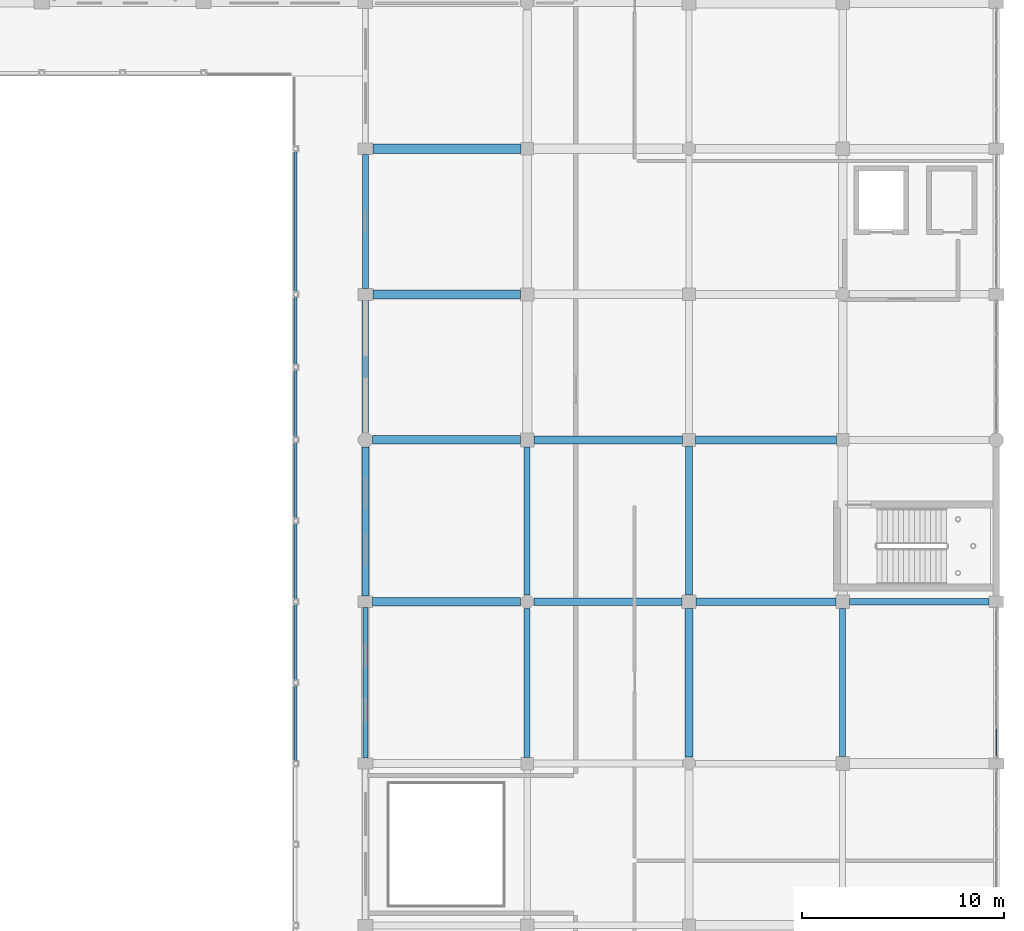
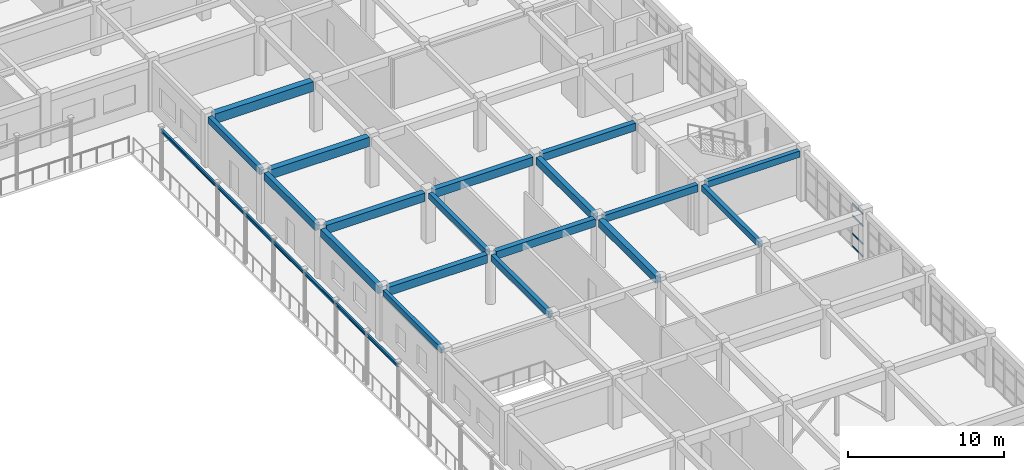
# One storey, part 130 of 195: 22 beams, 4 members, 1 element without a shape of its own.
"""IFC4 building model written with IfcOpenShell, lengths in metres."""

from ifc_helpers import new_model, si_unit, direction, frame, origin, origin_2d, place, context, subcontext, project, spatial, rectangle, hollow_rectangle, i_section, extrude, material, material_profile, profile_set, type_object, element, aggregate, save


model = new_model("IFC4")

# Units and contexts
model_context = context("Model", 3, precision=1e-05, world=origin(), true_north=direction((0.0, 1.0)))
body_context = subcontext(model_context, "Body", "Model", "MODEL_VIEW")
ifc_project = project(units=[si_unit("LENGTHUNIT", "METRE"), si_unit("AREAUNIT", "SQUARE_METRE"), si_unit("VOLUMEUNIT", "CUBIC_METRE"), si_unit("PLANEANGLEUNIT", "RADIAN"), si_unit("MASSUNIT", "GRAM", prefix="KILO")], contexts=[model_context])

# Site, building, storey
site_placement = place(None, origin())
site = spatial("IfcSite", under=ifc_project, at=site_placement, CompositionType="ELEMENT")
building_placement = place(site_placement, origin())
building = spatial("IfcBuilding", under=site, at=building_placement, Name="Kharva Crest Polytechnic", CompositionType="ELEMENT")
storey_placement = place(building_placement, frame((0.0, 0.0, 9.0)))
storey = spatial("IfcBuildingStorey", under=building, at=storey_placement, Name="L02", CompositionType="ELEMENT", Elevation=9.0)

# Beams
ifc_material_1 = material(Name="Concrete C35/45", Category="concrete")
ifc_material_profile_1 = material_profile(ifc_material_1, rectangle(XDim=0.300048828125, YDim=0.449951171875, at=origin_2d()), Name="RECT 300 X 450")
ifc_profile_set_1 = profile_set([ifc_material_profile_1], Name="Concrete C35/45")
beam_type_1 = type_object("IfcBeamType", Name="BM-RC-300X450", PredefinedType="BEAM", material=ifc_profile_set_1)
beam_1_placement = place(storey_placement, frame((160.800048828125, 71.1298828125, 3.695068359375), z_axis=(0.0, 1.0, 0.0), x_axis=(-1.0, 0.0, 0.0)))
element("IfcBeam", 1, at=beam_1_placement, inside=storey, type_object=beam_type_1, Name="L02 Girder 21/K-L", PredefinedType="BEAM", context=body_context, shape_type="SweptSolid", body=[
    extrude(rectangle(XDim=0.300048828125, YDim=0.449951171875, at=origin_2d()), origin(), (0.0, 0.0, 1.0), 7.330078125),
])
beam_2_placement = place(storey_placement, frame((176.39990234375, 63.139892578125, 3.695068359375), z_axis=(0.0, 1.0, 0.0), x_axis=(-1.0, 0.0, 0.0)))
element("IfcBeam", 2, at=beam_2_placement, inside=storey, type_object=beam_type_1, Name="L02 Girder 23/J-K", PredefinedType="BEAM", context=body_context, shape_type="SweptSolid", body=[
    extrude(rectangle(XDim=0.300048828125, YDim=0.449951171875, at=origin_2d()), origin(), (0.0, 0.0, 1.0), 7.335205078125),
])
ifc_material_profile_2 = material_profile(ifc_material_1, rectangle(XDim=0.300048828125, YDim=0.47998046875, at=origin_2d()), Name="RECT 300 X 480")
ifc_profile_set_2 = profile_set([ifc_material_profile_2], Name="Concrete C35/45")
beam_type_2 = type_object("IfcBeamType", Name="BM-RC-300X480", PredefinedType="BEAM", material=ifc_profile_set_2)
beam_3_placement = place(storey_placement, frame((160.800048828125, 63.110107421875, 3.679931640625), z_axis=(0.0, 1.0, 0.0), x_axis=(-1.0, 0.0, 0.0)))
element("IfcBeam", 3, at=beam_3_placement, inside=storey, type_object=beam_type_2, Name="L02 Girder 21/J-K", PredefinedType="BEAM", context=body_context, shape_type="SweptSolid", body=[
    extrude(rectangle(XDim=0.300048828125, YDim=0.47998046875, at=origin_2d()), origin(), (0.0, 0.0, 1.0), 7.35986328125),
])
ifc_material_profile_3 = material_profile(ifc_material_1, rectangle(XDim=0.320068359375, YDim=0.5, at=origin_2d()), Name="RECT 320 X 500")
ifc_profile_set_3 = profile_set([ifc_material_profile_3], Name="Concrete C35/45")
beam_type_3 = type_object("IfcBeamType", Name="BM-RC-320X500", PredefinedType="BEAM", material=ifc_profile_set_3)
beam_4_placement = place(storey_placement, frame((176.72509765625, 70.800048828125, 3.669921875), z_axis=(1.0, 0.0, 0.0), x_axis=(0.0, 1.0, 0.0)))
element("IfcBeam", 4, at=beam_4_placement, inside=storey, type_object=beam_type_3, Name="L02 Beam K/23-24", PredefinedType="BEAM", context=body_context, shape_type="SweptSolid", body=[
    extrude(rectangle(XDim=0.320068359375, YDim=0.5, at=origin_2d()), origin(), (0.0, 0.0, 1.0), 6.914794921875),
])
ifc_material_profile_4 = material_profile(ifc_material_1, rectangle(XDim=0.35009765625, YDim=0.550048828125, at=origin_2d()), Name="RECT 350 X 550")
ifc_profile_set_4 = profile_set([ifc_material_profile_4], Name="Concrete C35/45")
beam_type_4 = type_object("IfcBeamType", Name="BM-RC-350X550", PredefinedType="BEAM", material=ifc_profile_set_4)
beam_5_placement = place(storey_placement, frame((169.139892578125, 70.800048828125, 3.64501953125), z_axis=(1.0, 0.0, 0.0), x_axis=(0.0, 1.0, 0.0)))
element("IfcBeam", 5, at=beam_5_placement, inside=storey, type_object=beam_type_4, Name="L02 Beam K/22-23", PredefinedType="BEAM", context=body_context, shape_type="SweptSolid", body=[
    extrude(rectangle(XDim=0.35009765625, YDim=0.550048828125, at=origin_2d()), origin(), (0.0, 0.0, 1.0), 6.93505859375),
])
ifc_material_profile_5 = material_profile(ifc_material_1, rectangle(XDim=0.360107421875, YDim=0.580078125, at=origin_2d()), Name="RECT 360 X 580")
ifc_profile_set_5 = profile_set([ifc_material_profile_5], Name="Concrete C35/45")
beam_type_5 = type_object("IfcBeamType", Name="BM-RC-360X580", PredefinedType="BEAM", material=ifc_profile_set_5)
beam_6_placement = place(storey_placement, frame((168.800048828125, 71.139892578125, 3.6298828125), z_axis=(0.0, 1.0, 0.0), x_axis=(-1.0, 0.0, 0.0)))
element("IfcBeam", 6, at=beam_6_placement, inside=storey, type_object=beam_type_5, Name="L02 Girder 22/K-L", PredefinedType="BEAM", context=body_context, shape_type="SweptSolid", body=[
    extrude(rectangle(XDim=0.360107421875, YDim=0.580078125, at=origin_2d()), origin(), (0.0, 0.0, 1.0), 7.335205078125),
])
ifc_material_profile_6 = material_profile(ifc_material_1, rectangle(XDim=0.3798828125, YDim=0.60009765625, at=origin_2d()), Name="RECT 380 X 600")
ifc_profile_set_6 = profile_set([ifc_material_profile_6], Name="Concrete C35/45")
beam_type_6 = type_object("IfcBeamType", Name="BM-RC-380X600", PredefinedType="BEAM", material=ifc_profile_set_6)
beam_7_placement = place(storey_placement, frame((161.1298828125, 70.800048828125, 3.6201171875), z_axis=(1.0, 0.0, 0.0), x_axis=(0.0, 1.0, 0.0)))
element("IfcBeam", 7, at=beam_7_placement, inside=storey, type_object=beam_type_6, Name="L02 Beam K/21-22", PredefinedType="BEAM", context=body_context, shape_type="SweptSolid", body=[
    extrude(rectangle(XDim=0.3798828125, YDim=0.60009765625, at=origin_2d()), origin(), (0.0, 0.0, 1.0), 7.330078125),
])
beam_8_placement = place(storey_placement, frame((169.125, 78.800048828125, 3.6201171875), z_axis=(1.0, 0.0, 0.0), x_axis=(0.0, 1.0, 0.0)))
element("IfcBeam", 8, at=beam_8_placement, inside=storey, type_object=beam_type_6, Name="L02 Beam L/22-23", PredefinedType="BEAM", context=body_context, shape_type="SweptSolid", body=[
    extrude(rectangle(XDim=0.3798828125, YDim=0.60009765625, at=origin_2d()), origin(), (0.0, 0.0, 1.0), 6.965087890625),
])
ifc_material_profile_7 = material_profile(ifc_material_1, rectangle(XDim=0.39990234375, YDim=0.580078125, at=origin_2d()), Name="RECT 400 X 580")
ifc_profile_set_7 = profile_set([ifc_material_profile_7], Name="Concrete C35/45")
beam_type_7 = type_object("IfcBeamType", Name="BM-RC-400X580", PredefinedType="BEAM", material=ifc_profile_set_7)
beam_9_placement = place(storey_placement, frame((168.800048828125, 63.1298828125, 3.6298828125), z_axis=(0.0, 1.0, 0.0), x_axis=(-1.0, 0.0, 0.0)))
element("IfcBeam", 9, at=beam_9_placement, inside=storey, type_object=beam_type_7, Name="L02 Girder 22/J-K", PredefinedType="BEAM", context=body_context, shape_type="SweptSolid", body=[
    extrude(rectangle(XDim=0.39990234375, YDim=0.580078125, at=origin_2d()), origin(), (0.0, 0.0, 1.0), 7.330078125),
])
ifc_material_profile_8 = material_profile(ifc_material_1, rectangle(XDim=0.39990234375, YDim=0.64990234375, at=origin_2d()), Name="RECT 400 X 650")
ifc_profile_set_8 = profile_set([ifc_material_profile_8], Name="Concrete C35/45")
beam_type_8 = type_object("IfcBeamType", Name="BM-RC-400X650", PredefinedType="BEAM", material=ifc_profile_set_8)
beam_10_placement = place(storey_placement, frame((153.159912109375, 70.800048828125, 3.594970703125), z_axis=(1.0, 0.0, 0.0), x_axis=(0.0, 1.0, 0.0)))
element("IfcBeam", 10, at=beam_10_placement, inside=storey, type_object=beam_type_8, Name="L02 Beam K/20-21", PredefinedType="BEAM", context=body_context, shape_type="SweptSolid", body=[
    extrude(rectangle(XDim=0.39990234375, YDim=0.64990234375, at=origin_2d()), origin(), (0.0, 0.0, 1.0), 7.31005859375),
])
beam_11_placement = place(storey_placement, frame((161.139892578125, 78.800048828125, 3.594970703125), z_axis=(1.0, 0.0, 0.0), x_axis=(0.0, 1.0, 0.0)))
element("IfcBeam", 11, at=beam_11_placement, inside=storey, type_object=beam_type_8, Name="L02 Beam L/21-22", PredefinedType="BEAM", context=body_context, shape_type="SweptSolid", body=[
    extrude(rectangle(XDim=0.39990234375, YDim=0.64990234375, at=origin_2d()), origin(), (0.0, 0.0, 1.0), 7.335205078125),
])
ifc_material_profile_9 = material_profile(ifc_material_1, rectangle(XDim=0.419921875, YDim=0.659912109375, at=origin_2d()), Name="RECT 420 X 660")
ifc_profile_set_9 = profile_set([ifc_material_profile_9], Name="Concrete C35/45")
beam_type_9 = type_object("IfcBeamType", Name="BM-RC-420X660", PredefinedType="BEAM", material=ifc_profile_set_9)
beam_12_placement = place(storey_placement, frame((153.159912109375, 78.800048828125, 3.590087890625), z_axis=(1.0, 0.0, 0.0), x_axis=(0.0, 1.0, 0.0)))
element("IfcBeam", 12, at=beam_12_placement, inside=storey, type_object=beam_type_9, Name="L02 Beam L/20-21", PredefinedType="BEAM", context=body_context, shape_type="SweptSolid", body=[
    extrude(rectangle(XDim=0.419921875, YDim=0.659912109375, at=origin_2d()), origin(), (0.0, 0.0, 1.0), 7.300048828125),
])
ifc_material_profile_10 = material_profile(ifc_material_1, rectangle(XDim=0.449951171875, YDim=0.719970703125, at=origin_2d()), Name="RECT 450 X 720")
ifc_profile_set_10 = profile_set([ifc_material_profile_10], Name="Concrete C35/45")
beam_type_10 = type_object("IfcBeamType", Name="BM-RC-450X720", PredefinedType="BEAM", material=ifc_profile_set_10)
beam_13_placement = place(storey_placement, frame((153.175048828125, 86.0, 3.56005859375), z_axis=(1.0, 0.0, 0.0), x_axis=(0.0, 1.0, 0.0)))
element("IfcBeam", 13, at=beam_13_placement, inside=storey, type_object=beam_type_10, Name="L02 Beam M/20-21", PredefinedType="BEAM", context=body_context, shape_type="SweptSolid", body=[
    extrude(rectangle(XDim=0.449951171875, YDim=0.719970703125, at=origin_2d()), origin(), (0.0, 0.0, 1.0), 7.300048828125),
])
ifc_material_profile_11 = material_profile(ifc_material_1, rectangle(XDim=0.47998046875, YDim=0.75, at=origin_2d()), Name="RECT 480 X 750")
ifc_profile_set_11 = profile_set([ifc_material_profile_11], Name="Concrete C35/45")
beam_type_11 = type_object("IfcBeamType", Name="BM-RC-480X750", PredefinedType="BEAM", material=ifc_profile_set_11)
beam_14_placement = place(storey_placement, frame((153.175048828125, 93.199951171875, 3.544921875), z_axis=(1.0, 0.0, 0.0), x_axis=(0.0, 1.0, 0.0)))
element("IfcBeam", 14, at=beam_14_placement, inside=storey, type_object=beam_type_11, Name="L02 Beam N/20-21", PredefinedType="BEAM", context=body_context, shape_type="SweptSolid", body=[
    extrude(rectangle(XDim=0.47998046875, YDim=0.75, at=origin_2d()), origin(), (0.0, 0.0, 1.0), 7.31494140625),
])
ifc_material_2 = material(Name="Steel S355", Category="steel")
ifc_material_profile_12 = material_profile(ifc_material_2, i_section(OverallWidth=0.14599609375, OverallDepth=0.258056640625, WebThickness=0.006103515625, FlangeThickness=0.009033203125, at=origin_2d()), Name="W250X32.7")
ifc_profile_set_12 = profile_set([ifc_material_profile_12], Name="Steel S355")
beam_type_12 = type_object("IfcBeamType", Name="BM-STL-W250X32", PredefinedType="BEAM", material=ifc_profile_set_12)
for number, where, z_axis, x_axis, name in (
    (15, (149.35009765625, 62.820068359375, 3.861083984375), (0.0, 1.0, 0.0), (-1.0, 0.0, 0.0), "L02 East Veranda Beam 3"),
    (16, (149.35009765625, 70.820068359375, 3.861083984375), (0.0, 1.0, 0.0), (-1.0, 0.0, 0.0), "L02 East Veranda Beam 4"),
):
    element("IfcBeam", number, at=place(storey_placement, frame(where, z_axis=z_axis, x_axis=x_axis)), inside=storey, type_object=beam_type_12, Name=name, PredefinedType="BEAM", context=body_context, shape_type="SweptSolid", body=[
        extrude(i_section(OverallWidth=0.14599609375, OverallDepth=0.258056640625, WebThickness=0.006103515625, FlangeThickness=0.009033203125, at=origin_2d()), origin(), (0.0, 0.0, 1.0), 7.9599609375),
    ])
for number, where, z_axis, x_axis, name in (
    (17, (149.35009765625, 78.820068359375, 3.861083984375), (0.0, 1.0, 0.0), (-1.0, 0.0, 0.0), "L02 East Veranda Beam 5"),
    (18, (149.35009765625, 86.02001953125, 3.861083984375), (0.0, 1.0, 0.0), (-1.0, 0.0, 0.0), "L02 East Veranda Beam 6"),
):
    element("IfcBeam", number, at=place(storey_placement, frame(where, z_axis=z_axis, x_axis=x_axis)), inside=storey, type_object=beam_type_12, Name=name, PredefinedType="BEAM", context=body_context, shape_type="SweptSolid", body=[
        extrude(i_section(OverallWidth=0.14599609375, OverallDepth=0.258056640625, WebThickness=0.006103515625, FlangeThickness=0.009033203125, at=origin_2d()), origin(), (0.0, 0.0, 1.0), 7.159912109375),
    ])

# Curtain wall, members
ifc_material_3 = material(Name="Tempered insulated glass", Category="glass")
curtain_wall_type = type_object("IfcCurtainWallType", Name="CW-SYS-COURT", PredefinedType="USERDEFINED", material=ifc_material_3)
curtain_wall_placement = place(storey_placement, origin())
curtain_wall = element("IfcCurtainWall", 19, at=curtain_wall_placement, inside=storey, type_object=curtain_wall_type, Name="L02 Glazed Curtain Wall CW-106", ObjectType="CURTAIN WALL", PredefinedType="USERDEFINED")
ifc_material_profile_13 = material_profile(ifc_material_2, hollow_rectangle(XDim=0.06005859375, YDim=0.1201171875, WallThickness=0.00390625, at=origin_2d()), Name="RHS 120X60X4.0")
ifc_profile_set_13 = profile_set([ifc_material_profile_13], Name="Steel S355")
member_type = type_object("IfcMemberType", Name="CWT-RHS120X60", PredefinedType="USERDEFINED", material=ifc_profile_set_13)
member_1_placement = place(storey_placement, frame((184.0, 63.159912109375, 0.06005859375), z_axis=(0.0, 1.0, 0.0), x_axis=(-1.0, 0.0, 0.0)))
member_1 = element("IfcMember", 20, at=member_1_placement, type_object=member_type, Name="CW-106 transom 1.1", ObjectType="TRANSOM", PredefinedType="USERDEFINED", context=body_context, shape_type="SweptSolid", body=[
    extrude(hollow_rectangle(XDim=0.06005859375, YDim=0.1201171875, WallThickness=0.00390625, at=origin_2d()), origin(), (0.0, 0.0, 1.0), 1.3681640625),
])
member_2_placement = place(storey_placement, frame((184.0, 63.159912109375, 1.050048828125), z_axis=(0.0, 1.0, 0.0), x_axis=(-1.0, 0.0, 0.0)))
member_2 = element("IfcMember", 21, at=member_2_placement, type_object=member_type, Name="CW-106 transom 1.2", ObjectType="TRANSOM", PredefinedType="USERDEFINED", context=body_context, shape_type="SweptSolid", body=[
    extrude(hollow_rectangle(XDim=0.06005859375, YDim=0.1201171875, WallThickness=0.00390625, at=origin_2d()), origin(), (0.0, 0.0, 1.0), 1.3681640625),
])
member_3_placement = place(storey_placement, frame((184.0, 63.159912109375, 2.449951171875), z_axis=(0.0, 1.0, 0.0), x_axis=(-1.0, 0.0, 0.0)))
member_3 = element("IfcMember", 22, at=member_3_placement, type_object=member_type, Name="CW-106 transom 1.3", ObjectType="TRANSOM", PredefinedType="USERDEFINED", context=body_context, shape_type="SweptSolid", body=[
    extrude(hollow_rectangle(XDim=0.06005859375, YDim=0.1201171875, WallThickness=0.00390625, at=origin_2d()), origin(), (0.0, 0.0, 1.0), 1.3681640625),
])
member_4_placement = place(storey_placement, frame((184.0, 63.159912109375, 3.39990234375), z_axis=(0.0, 1.0, 0.0), x_axis=(-1.0, 0.0, 0.0)))
member_4 = element("IfcMember", 23, at=member_4_placement, type_object=member_type, Name="CW-106 transom 1.4", ObjectType="TRANSOM", PredefinedType="USERDEFINED", context=body_context, shape_type="SweptSolid", body=[
    extrude(hollow_rectangle(XDim=0.06005859375, YDim=0.1201171875, WallThickness=0.00390625, at=origin_2d()), origin(), (0.0, 0.0, 1.0), 1.3681640625),
])
aggregate(curtain_wall, [member_1, member_2, member_3, member_4])

# Beams
ifc_material_profile_14 = material_profile(ifc_material_1, rectangle(XDim=0.260009765625, YDim=0.43994140625, at=origin_2d()), Name="RECT 260 X 440")
ifc_profile_set_14 = profile_set([ifc_material_profile_14], Name="Concrete C35/45")
beam_type_13 = type_object("IfcBeamType", Name="SP-RC-260X440", PredefinedType="SPANDREL", material=ifc_profile_set_14)
beam_15_placement = place(storey_placement, frame((152.800048828125, 63.074951171875, 3.699951171875), z_axis=(0.0, 1.0, 0.0), x_axis=(-1.0, 0.0, 0.0)))
element("IfcBeam", 24, at=beam_15_placement, inside=storey, type_object=beam_type_13, Name="L02 Girder 20/J-K", PredefinedType="SPANDREL", context=body_context, shape_type="SweptSolid", body=[
    extrude(rectangle(XDim=0.260009765625, YDim=0.43994140625, at=origin_2d()), origin(), (0.0, 0.0, 1.0), 7.449951171875),
])
ifc_material_profile_15 = material_profile(ifc_material_1, rectangle(XDim=0.300048828125, YDim=0.52001953125, at=origin_2d()), Name="RECT 300 X 520")
ifc_profile_set_15 = profile_set([ifc_material_profile_15], Name="Concrete C35/45")
beam_type_14 = type_object("IfcBeamType", Name="SP-RC-300X520", PredefinedType="SPANDREL", material=ifc_profile_set_15)
beam_16_placement = place(storey_placement, frame((152.800048828125, 86.300048828125, 3.659912109375), z_axis=(0.0, 1.0, 0.0), x_axis=(-1.0, 0.0, 0.0)))
element("IfcBeam", 25, at=beam_16_placement, inside=storey, type_object=beam_type_14, Name="L02 Girder 20/M-N", PredefinedType="SPANDREL", context=body_context, shape_type="SweptSolid", body=[
    extrude(rectangle(XDim=0.300048828125, YDim=0.52001953125, at=origin_2d()), origin(), (0.0, 0.0, 1.0), 6.625),
])
ifc_material_profile_16 = material_profile(ifc_material_1, rectangle(XDim=0.320068359375, YDim=0.580078125, at=origin_2d()), Name="RECT 320 X 580")
ifc_profile_set_16 = profile_set([ifc_material_profile_16], Name="Concrete C35/45")
beam_type_15 = type_object("IfcBeamType", Name="SP-RC-320X580", PredefinedType="SPANDREL", material=ifc_profile_set_16)
beam_17_placement = place(storey_placement, frame((152.800048828125, 79.159912109375, 3.6298828125), z_axis=(0.0, 1.0, 0.0), x_axis=(-1.0, 0.0, 0.0)))
element("IfcBeam", 26, at=beam_17_placement, inside=storey, type_object=beam_type_15, Name="L02 Girder 20/L-M", PredefinedType="SPANDREL", context=body_context, shape_type="SweptSolid", body=[
    extrude(rectangle(XDim=0.320068359375, YDim=0.580078125, at=origin_2d()), origin(), (0.0, 0.0, 1.0), 6.5400390625),
])
ifc_material_profile_17 = material_profile(ifc_material_1, rectangle(XDim=0.35009765625, YDim=0.6201171875, at=origin_2d()), Name="RECT 350 X 620")
ifc_profile_set_17 = profile_set([ifc_material_profile_17], Name="Concrete C35/45")
beam_type_16 = type_object("IfcBeamType", Name="SP-RC-350X620", PredefinedType="SPANDREL", material=ifc_profile_set_17)
beam_18_placement = place(storey_placement, frame((152.800048828125, 71.074951171875, 3.610107421875), z_axis=(0.0, 1.0, 0.0), x_axis=(-1.0, 0.0, 0.0)))
element("IfcBeam", 27, at=beam_18_placement, inside=storey, type_object=beam_type_16, Name="L02 Girder 20/K-L", PredefinedType="SPANDREL", context=body_context, shape_type="SweptSolid", body=[
    extrude(rectangle(XDim=0.35009765625, YDim=0.6201171875, at=origin_2d()), origin(), (0.0, 0.0, 1.0), 7.364990234375),
])

save(model, "model.ifc")
